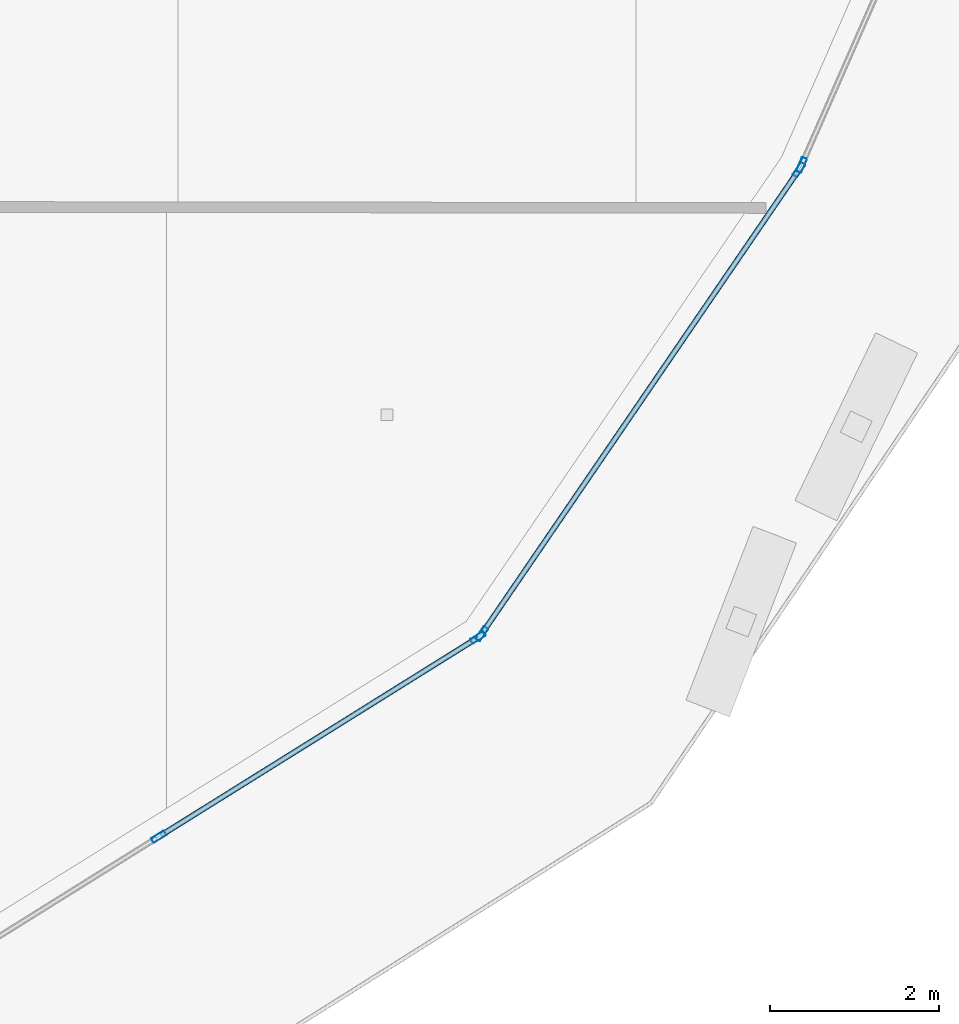
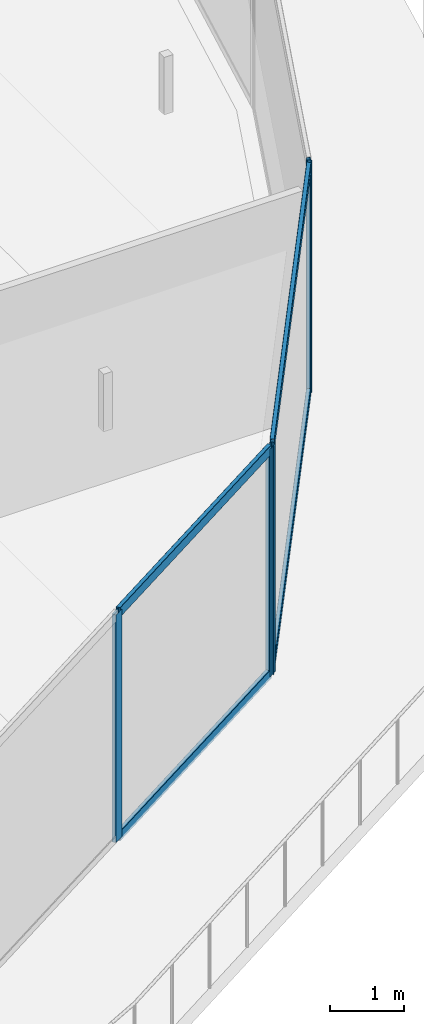
# One storey, part 11 of 39: 9 members, 3 elements without a shape of their own.
"""IFC4 building model written with IfcOpenShell, lengths in metres."""

from ifc_helpers import new_model, si_unit, direction, frame, origin, origin_2d, place, context, subcontext, project, spatial, hollow_rectangle, extrude, material, layer, layer_set, material_profile, profile_set, type_object, element, aggregate, save


model = new_model("IFC4")

# Units and contexts
model_context = context("Model", 3, precision=1e-05, world=origin(), true_north=direction((0.0, 1.0)))
body_context = subcontext(model_context, "Body", "Model", "MODEL_VIEW")
ifc_project = project(units=[si_unit("LENGTHUNIT", "METRE"), si_unit("AREAUNIT", "SQUARE_METRE"), si_unit("VOLUMEUNIT", "CUBIC_METRE"), si_unit("PLANEANGLEUNIT", "RADIAN"), si_unit("MASSUNIT", "GRAM", prefix="KILO")], contexts=[model_context])

# Site, building, storey
site_placement = place(None, origin())
site = spatial("IfcSite", under=ifc_project, at=site_placement, CompositionType="ELEMENT")
building_placement = place(site_placement, origin())
building = spatial("IfcBuilding", under=site, at=building_placement, Name="Qorvath Tower", CompositionType="ELEMENT")
storey_placement = place(building_placement, frame((0.0, 0.0, 142.199951171875)))
storey = spatial("IfcBuildingStorey", under=building, at=storey_placement, Name="L32", CompositionType="ELEMENT", Elevation=142.199951171875)

# Curtain wall, members
ifc_material_1 = material(Name="Anodised aluminium and triple low-E glass", Category="aluminium")
ifc_layer = layer(ifc_material_1, 0.179931640625)
ifc_layer_set = layer_set([ifc_layer], Name="CW-SYS-3")
curtain_wall_type = type_object("IfcCurtainWallType", Name="CW-SYS-3", PredefinedType="NOTDEFINED", material=ifc_layer_set)
curtain_wall_1_placement = place(storey_placement, origin())
curtain_wall_1 = element("IfcCurtainWall", 1, at=curtain_wall_1_placement, inside=storey, type_object=curtain_wall_type, Name="Curtain Wall CW-3 CW-T-L32-4.1", PredefinedType="NOTDEFINED")
ifc_material_2 = material(Name="Anodised aluminium 6063-T6", Category="aluminium")
ifc_material_profile_1 = material_profile(ifc_material_2, hollow_rectangle(XDim=0.06494140625, YDim=0.179931640625, WallThickness=0.00341796875, InnerFilletRadius=0.00341796875, OuterFilletRadius=0.007080078125, at=origin_2d()), Name="CWM 180x65")
ifc_profile_set_1 = profile_set([ifc_material_profile_1], Name="Anodised aluminium 6063-T6")
member_type_1 = type_object("IfcMemberType", Name="CWM-180", PredefinedType="MULLION", material=ifc_profile_set_1)
member_1_placement = place(storey_placement, frame((-7.95703125, -25.410400390625, 0.0), z_axis=(0.0, 0.0, 1.0), x_axis=(-0.529441480387, 0.848346461563, 0.0)))
member_1 = element("IfcMember", 2, at=member_1_placement, type_object=member_type_1, Name="CW-3 mullion 2", PredefinedType="MULLION", context=body_context, shape_type="SweptSolid", body=[
    extrude(hollow_rectangle(XDim=0.06494140625, YDim=0.179931640625, WallThickness=0.00341796875, InnerFilletRadius=0.00341796875, OuterFilletRadius=0.007080078125, at=origin_2d()), origin(), (0.0, 0.0, 1.0), 3.780029296875),
])
member_2_placement = place(storey_placement, frame((-4.18798828125, -23.05810546875, 0.0), z_axis=(0.0, 0.0, 1.0), x_axis=(-0.529441480387, 0.848346461563, 0.0)))
member_2 = element("IfcMember", 3, at=member_2_placement, type_object=member_type_1, Name="CW-3 mullion 3", PredefinedType="MULLION", context=body_context, shape_type="SweptSolid", body=[
    extrude(hollow_rectangle(XDim=0.06494140625, YDim=0.179931640625, WallThickness=0.00341796875, InnerFilletRadius=0.00341796875, OuterFilletRadius=0.007080078125, at=origin_2d()), origin(), (0.0, 0.0, 1.0), 3.780029296875),
])

curtain_wall_2_placement = place(storey_placement, origin())
curtain_wall_2 = element("IfcCurtainWall", 4, at=curtain_wall_2_placement, inside=storey, type_object=curtain_wall_type, Name="Curtain Wall CW-3 CW-T-L32-5.1", PredefinedType="NOTDEFINED")
member_3_placement = place(storey_placement, frame((-4.14208984375, -23.013916015625, 0.0), z_axis=(0.0, 0.0, 1.0), x_axis=(-0.825610125251, 0.564241013294, 0.0)))
member_3 = element("IfcMember", 5, at=member_3_placement, type_object=member_type_1, Name="CW-3 mullion 1", PredefinedType="MULLION", context=body_context, shape_type="SweptSolid", body=[
    extrude(hollow_rectangle(XDim=0.06494140625, YDim=0.179931640625, WallThickness=0.00341796875, InnerFilletRadius=0.00341796875, OuterFilletRadius=0.007080078125, at=origin_2d()), origin(), (0.0, 0.0, 1.0), 3.780029296875),
])
member_4_placement = place(storey_placement, frame((-0.396484375, -17.533447265625, 0.0), z_axis=(0.0, 0.0, 1.0), x_axis=(-0.825610125251, 0.564241013294, 0.0)))
member_4 = element("IfcMember", 6, at=member_4_placement, type_object=member_type_1, Name="CW-3 mullion 2", PredefinedType="MULLION", context=body_context, shape_type="SweptSolid", body=[
    extrude(hollow_rectangle(XDim=0.06494140625, YDim=0.179931640625, WallThickness=0.00341796875, InnerFilletRadius=0.00341796875, OuterFilletRadius=0.007080078125, at=origin_2d()), origin(), (0.0, 0.0, 1.0), 3.780029296875),
])

# Curtain wall, member
curtain_wall_3_placement = place(storey_placement, origin())
curtain_wall_3 = element("IfcCurtainWall", 7, at=curtain_wall_3_placement, inside=storey, type_object=curtain_wall_type, Name="Curtain Wall CW-3 CW-T-L32-6.1", PredefinedType="NOTDEFINED")
member_5_placement = place(storey_placement, frame((-0.365234375, -17.476806640625, 0.0), z_axis=(0.0, 0.0, 1.0), x_axis=(-0.915703754985, 0.401853994762, 0.0)))
member_5 = element("IfcMember", 8, at=member_5_placement, type_object=member_type_1, Name="CW-3 mullion 1", PredefinedType="MULLION", context=body_context, shape_type="SweptSolid", body=[
    extrude(hollow_rectangle(XDim=0.06494140625, YDim=0.179931640625, WallThickness=0.00341796875, InnerFilletRadius=0.00341796875, OuterFilletRadius=0.007080078125, at=origin_2d()), origin(), (0.0, 0.0, 1.0), 3.780029296875),
])
aggregate(curtain_wall_3, [member_5])

# Member
ifc_material_3 = material(Name="Anodised aluminium 6063-T6", Category="aluminium")
ifc_material_profile_2 = material_profile(ifc_material_3, hollow_rectangle(XDim=0.06494140625, YDim=0.159912109375, WallThickness=0.00341796875, InnerFilletRadius=0.00341796875, OuterFilletRadius=0.007080078125, at=origin_2d()), Name="CWT 160x65")
ifc_profile_set_2 = profile_set([ifc_material_profile_2], Name="Anodised aluminium 6063-T6")
member_type_2 = type_object("IfcMemberType", Name="CWT-160", PredefinedType="USERDEFINED", material=ifc_profile_set_2)
member_6_placement = place(storey_placement, frame((-7.9296875, -25.39306640625, 0.032470703125), z_axis=(0.848352128257, 0.529432400294, 0.0), x_axis=(-0.529432400294, 0.848352128257, 0.0)))
member_6 = element("IfcMember", 9, at=member_6_placement, type_object=member_type_2, Name="CW-3 transom 2.1", ObjectType="TRANSOM", PredefinedType="USERDEFINED", context=body_context, shape_type="SweptSolid", body=[
    extrude(hollow_rectangle(XDim=0.06494140625, YDim=0.159912109375, WallThickness=0.00341796875, InnerFilletRadius=0.00341796875, OuterFilletRadius=0.007080078125, at=origin_2d()), origin(), (0.0, 0.0, 1.0), 4.3779296875),
])

member_7_placement = place(storey_placement, frame((-7.9296875, -25.39306640625, 3.74755859375), z_axis=(0.848352128257, 0.529432400294, 0.0), x_axis=(-0.529432400294, 0.848352128257, 0.0)))
member_7 = element("IfcMember", 10, at=member_7_placement, type_object=member_type_2, Name="CW-3 transom 2.2", ObjectType="TRANSOM", PredefinedType="USERDEFINED", context=body_context, shape_type="SweptSolid", body=[
    extrude(hollow_rectangle(XDim=0.06494140625, YDim=0.159912109375, WallThickness=0.00341796875, InnerFilletRadius=0.00341796875, OuterFilletRadius=0.007080078125, at=origin_2d()), origin(), (0.0, 0.0, 1.0), 4.3779296875),
])

aggregate(curtain_wall_1, [member_1, member_2, member_6, member_7])

member_8_placement = place(storey_placement, frame((-4.123779296875, -22.987060546875, 0.032470703125), z_axis=(0.56426308506, 0.825595040464, 0.0), x_axis=(-0.825595040464, 0.56426308506, 0.0)))
member_8 = element("IfcMember", 11, at=member_8_placement, type_object=member_type_2, Name="CW-3 transom 1.1", ObjectType="TRANSOM", PredefinedType="USERDEFINED", context=body_context, shape_type="SweptSolid", body=[
    extrude(hollow_rectangle(XDim=0.06494140625, YDim=0.159912109375, WallThickness=0.00341796875, InnerFilletRadius=0.00341796875, OuterFilletRadius=0.007080078125, at=origin_2d()), origin(), (0.0, 0.0, 1.0), 6.5732421875),
])

member_9_placement = place(storey_placement, frame((-4.123779296875, -22.987060546875, 3.74755859375), z_axis=(0.56426308506, 0.825595040464, 0.0), x_axis=(-0.825595040464, 0.56426308506, 0.0)))
member_9 = element("IfcMember", 12, at=member_9_placement, type_object=member_type_2, Name="CW-3 transom 1.2", ObjectType="TRANSOM", PredefinedType="USERDEFINED", context=body_context, shape_type="SweptSolid", body=[
    extrude(hollow_rectangle(XDim=0.06494140625, YDim=0.159912109375, WallThickness=0.00341796875, InnerFilletRadius=0.00341796875, OuterFilletRadius=0.007080078125, at=origin_2d()), origin(), (0.0, 0.0, 1.0), 6.5732421875),
])

aggregate(curtain_wall_2, [member_3, member_4, member_8, member_9])

save(model, "model.ifc")
